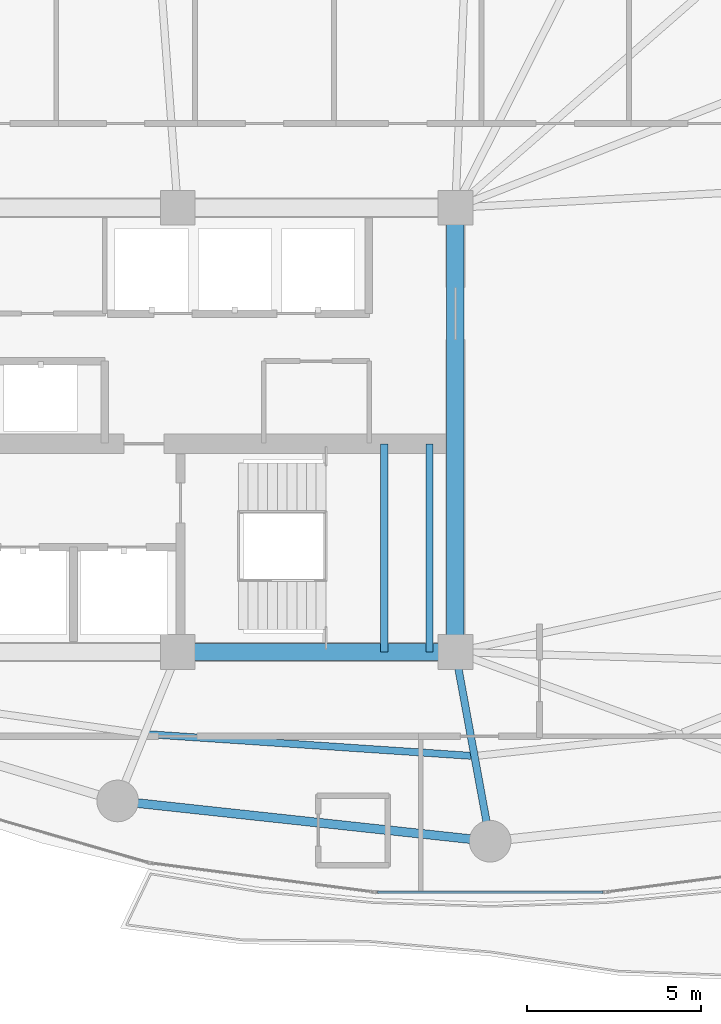
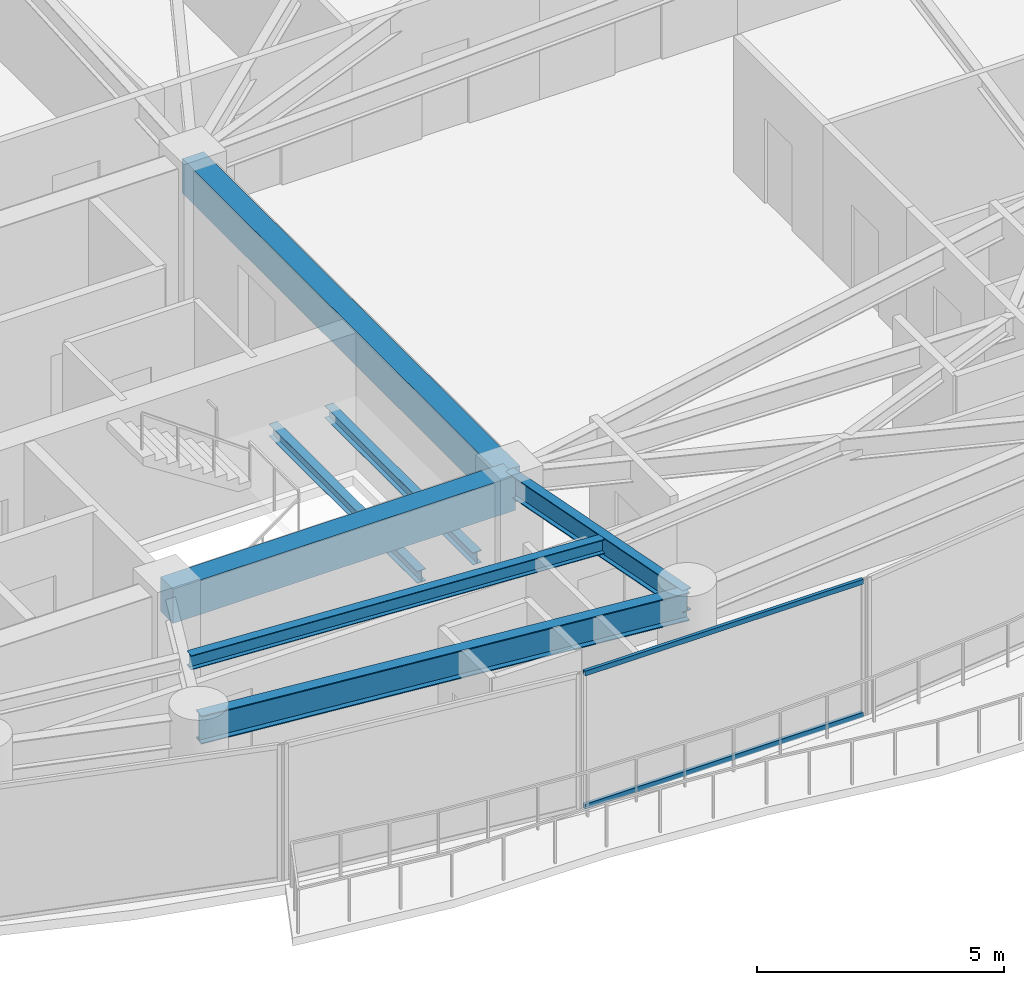
# One storey, part 6 of 31: 7 beams, 2 members, 1 element without a shape of its own.
"""IFC4 building model written with IfcOpenShell, lengths in metres."""

from ifc_helpers import new_model, si_unit, direction, frame, origin, origin_2d, place, context, subcontext, project, spatial, rectangle, hollow_rectangle, i_section, extrude, material, layer, layer_set, material_profile, profile_set, type_object, element, aggregate, save


model = new_model("IFC4")

# Units and contexts
model_context = context("Model", 3, precision=1e-05, world=origin(), true_north=direction((0.0, 1.0)))
body_context = subcontext(model_context, "Body", "Model", "MODEL_VIEW")
ifc_project = project(units=[si_unit("LENGTHUNIT", "METRE"), si_unit("AREAUNIT", "SQUARE_METRE"), si_unit("VOLUMEUNIT", "CUBIC_METRE"), si_unit("PLANEANGLEUNIT", "RADIAN"), si_unit("MASSUNIT", "GRAM", prefix="KILO")], contexts=[model_context])

# Site, building, storey
site_placement = place(None, origin())
site = spatial("IfcSite", under=ifc_project, at=site_placement, CompositionType="ELEMENT")
building_placement = place(site_placement, origin())
building = spatial("IfcBuilding", under=site, at=building_placement, Name="Kazevale Care Tower and Concert Hall", CompositionType="ELEMENT")
storey_placement = place(building_placement, frame((0.0, 0.0, 124.199951171875)))
storey = spatial("IfcBuildingStorey", under=building, at=storey_placement, Name="L32", CompositionType="ELEMENT", Elevation=124.199951171875)

# Curtain wall, members
ifc_material_1 = material(Name="Aluminium 6063-T6 and Low-E Glass", Category="aluminium")
ifc_layer = layer(ifc_material_1, 0.179931640625)
ifc_layer_set = layer_set([ifc_layer], Name="Aluminium 6063-T6 and Low-E Glass")
curtain_wall_type = type_object("IfcCurtainWallType", Name="Sheltered Concave Balcony Curtain Wall CW-5", PredefinedType="NOTDEFINED", material=ifc_layer_set)
curtain_wall_placement = place(storey_placement, origin())
curtain_wall = element("IfcCurtainWall", 1, at=curtain_wall_placement, inside=storey, type_object=curtain_wall_type, Name="cw:L32:f06", PredefinedType="NOTDEFINED")
ifc_material_2 = material(Name="Aluminium 6063-T6", Category="aluminium")
ifc_material_profile_1 = material_profile(ifc_material_2, hollow_rectangle(XDim=0.074951171875, YDim=0.1201171875, WallThickness=0.00390625, at=origin_2d()), Name="ALU75x120x4")
ifc_profile_set_1 = profile_set([ifc_material_profile_1], Name="Aluminium 6063-T6")
member_type = type_object("IfcMemberType", Name="CW-5 Transom ALU75x120x4", PredefinedType="USERDEFINED", material=ifc_profile_set_1)
member_1_placement = place(storey_placement, frame((48.25, 16.68408203125, 0.03759765625), z_axis=(-1.0, 0.0, 0.0), x_axis=(0.0, -1.0, 0.0)))
member_1 = element("IfcMember", 2, at=member_1_placement, type_object=member_type, Name="CW-5 transom 1.1", ObjectType="TRANSOM", PredefinedType="USERDEFINED", context=body_context, shape_type="SweptSolid", body=[
    extrude(hollow_rectangle(XDim=0.074951171875, YDim=0.1201171875, WallThickness=0.00390625, at=origin_2d()), origin(), (0.0, 0.0, 1.0), 6.5),
])
member_2_placement = place(storey_placement, frame((48.25, 16.68408203125, 3.322509765625), z_axis=(-1.0, 0.0, 0.0), x_axis=(0.0, -1.0, 0.0)))
member_2 = element("IfcMember", 3, at=member_2_placement, type_object=member_type, Name="CW-5 transom 1.2", ObjectType="TRANSOM", PredefinedType="USERDEFINED", context=body_context, shape_type="SweptSolid", body=[
    extrude(hollow_rectangle(XDim=0.074951171875, YDim=0.1201171875, WallThickness=0.00390625, at=origin_2d()), origin(), (0.0, 0.0, 1.0), 6.5),
])
aggregate(curtain_wall, [member_1, member_2])

# Beams
ifc_material_3 = material(Name="Concrete C60", Category="concrete")
ifc_material_profile_2 = material_profile(ifc_material_3, rectangle(XDim=0.5, YDim=0.85009765625, at=origin_2d()), Name="RC-B500x850")
ifc_profile_set_2 = profile_set([ifc_material_profile_2], Name="Concrete C60")
beam_type_1 = type_object("IfcBeamType", Name="Core Coupling Beam RC500x850", PredefinedType="LINTEL", material=ifc_profile_set_2)
beam_1_placement = place(storey_placement, frame((36.0, 23.60009765625, 2.93505859375), z_axis=(1.0, 0.0, 0.0), x_axis=(0.0, 1.0, 0.0)))
element("IfcBeam", 4, at=beam_1_placement, inside=storey, type_object=beam_type_1, Name="beam:L32:coretie:3", PredefinedType="LINTEL", context=body_context, shape_type="SweptSolid", body=[
    extrude(rectangle(XDim=0.5, YDim=0.85009765625, at=origin_2d()), origin(), (0.0, 0.0, 1.0), 8.0),
])
beam_2_placement = place(storey_placement, frame((44.0, 23.60009765625, 2.93505859375), z_axis=(0.0, 1.0, 0.0), x_axis=(-1.0, 0.0, 0.0)))
element("IfcBeam", 5, at=beam_2_placement, inside=storey, type_object=beam_type_1, Name="beam:L32:coretie:4", PredefinedType="LINTEL", context=body_context, shape_type="SweptSolid", body=[
    extrude(rectangle(XDim=0.5, YDim=0.85009765625, at=origin_2d()), origin(), (0.0, 0.0, 1.0), 12.7998046875),
])
ifc_material_4 = material(Name="Steel ASTM A572 Gr 50", Category="steel")
ifc_material_profile_3 = material_profile(ifc_material_4, i_section(OverallWidth=0.2119140625, OverallDepth=0.5439453125, WebThickness=0.01318359375, FlangeThickness=0.021240234375, at=origin_2d()), Name="W530x123")
ifc_profile_set_3 = profile_set([ifc_material_profile_3], Name="Steel ASTM A572 Gr 50")
beam_type_2 = type_object("IfcBeamType", Name="Radial Floor Girder W530x123", PredefinedType="BEAM", material=ifc_profile_set_3)
beam_3_placement = place(storey_placement, frame((44.0, 23.60009765625, 3.088134765625), z_axis=(0.180467114023, -0.983581018908, 0.0), x_axis=(0.983581018908, 0.180467114023, 0.0)))
element("IfcBeam", 6, at=beam_3_placement, inside=storey, type_object=beam_type_2, Name="beam:L32:rad:13", PredefinedType="BEAM", context=body_context, shape_type="SweptSolid", body=[
    extrude(i_section(OverallWidth=0.2119140625, OverallDepth=0.5439453125, WebThickness=0.01318359375, FlangeThickness=0.021240234375, at=origin_2d()), origin(), (0.0, 0.0, 1.0), 5.541259765625),
])
ifc_material_profile_4 = material_profile(ifc_material_4, i_section(OverallWidth=0.205078125, OverallDepth=0.35400390625, WebThickness=0.009521484375, FlangeThickness=0.016845703125, at=origin_2d()), Name="W360x79")
ifc_profile_set_4 = profile_set([ifc_material_profile_4], Name="Steel ASTM A572 Gr 50")
beam_type_3 = type_object("IfcBeamType", Name="Secondary Floor Joist W360x79", PredefinedType="JOIST", material=ifc_profile_set_4)
beam_4_placement = place(storey_placement, frame((35.153076171875, 21.23291015625, 3.18310546875), z_axis=(0.997761314569, -0.06687569925, 0.0), x_axis=(0.06687569925, 0.997761314569, 0.0)))
element("IfcBeam", 7, at=beam_4_placement, inside=storey, type_object=beam_type_3, Name="beam:L32:joist:12", PredefinedType="JOIST", context=body_context, shape_type="SweptSolid", body=[
    extrude(i_section(OverallWidth=0.205078125, OverallDepth=0.35400390625, WebThickness=0.009521484375, FlangeThickness=0.016845703125, at=origin_2d()), origin(), (0.0, 0.0, 1.0), 9.312744140625),
])
ifc_material_profile_5 = material_profile(ifc_material_4, i_section(OverallWidth=0.202880859375, OverallDepth=0.302978515625, WebThickness=0.007568359375, FlangeThickness=0.01318359375, at=origin_2d()), Name="W310x60")
ifc_profile_set_5 = profile_set([ifc_material_profile_5], Name="Steel ASTM A572 Gr 50")
beam_type_4 = type_object("IfcBeamType", Name="Stair & Balcony Trimmer W310x60", PredefinedType="BEAM", material=ifc_profile_set_5)
for number, where, z_axis, x_axis, name in (
    (8, (41.949951171875, 23.60009765625, 1.448486328125), (0.0, 1.0, 0.0), (-1.0, 0.0, 0.0), "beam:L32:sttrim:ST2"),
    (9, (43.25, 23.60009765625, 1.448486328125), (0.0, 1.0, 0.0), (-1.0, 0.0, 0.0), "beam:L32:sttrim:ST2b"),
):
    element("IfcBeam", number, at=place(storey_placement, frame(where, z_axis=z_axis, x_axis=x_axis)), inside=storey, type_object=beam_type_4, Name=name, PredefinedType="BEAM", context=body_context, shape_type="SweptSolid", body=[
        extrude(i_section(OverallWidth=0.202880859375, OverallDepth=0.302978515625, WebThickness=0.007568359375, FlangeThickness=0.01318359375, at=origin_2d()), origin(), (0.0, 0.0, 1.0), 6.0),
    ])
ifc_material_profile_6 = material_profile(ifc_material_4, i_section(OverallWidth=0.256103515625, OverallDepth=0.693115234375, WebThickness=0.014404296875, FlangeThickness=0.023681640625, at=origin_2d()), Name="W690x170")
ifc_profile_set_6 = profile_set([ifc_material_profile_6], Name="Steel ASTM A572 Gr 50")
beam_type_5 = type_object("IfcBeamType", Name="Waist Ring Beam W690x170", PredefinedType="BEAM", material=ifc_profile_set_6)
beam_5_placement = place(storey_placement, frame((34.27001953125, 19.31005859375, 3.013427734375), z_axis=(0.994205479487, -0.107496346724, 0.0), x_axis=(0.107496346724, 0.994205479487, 0.0)))
element("IfcBeam", 10, at=beam_5_placement, inside=storey, type_object=beam_type_5, Name="beam:L32:ring:12", PredefinedType="BEAM", context=body_context, shape_type="SweptSolid", body=[
    extrude(i_section(OverallWidth=0.256103515625, OverallDepth=0.693115234375, WebThickness=0.014404296875, FlangeThickness=0.023681640625, at=origin_2d()), origin(), (0.0, 0.0, 1.0), 10.79248046875),
])

save(model, "model.ifc")
